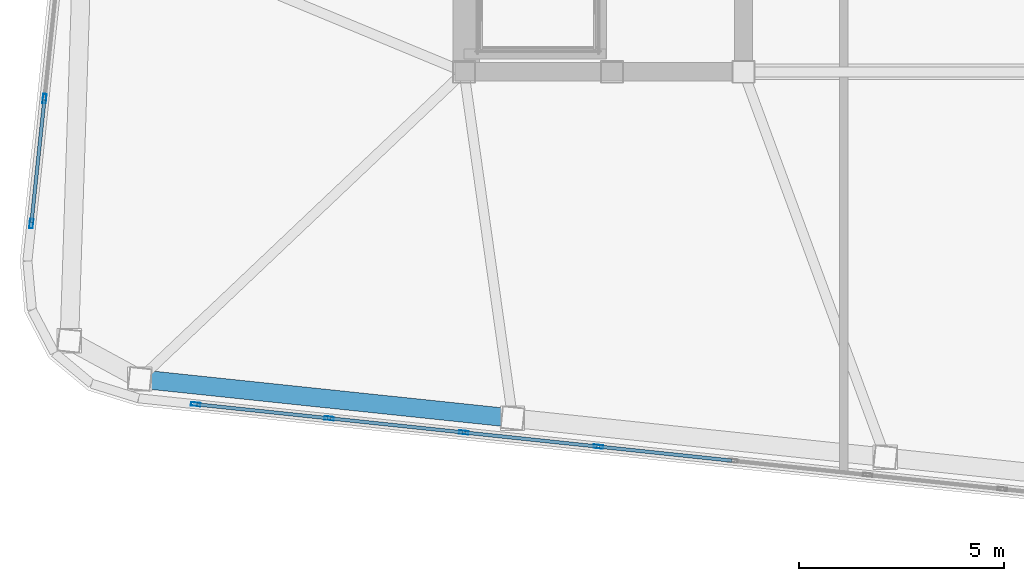
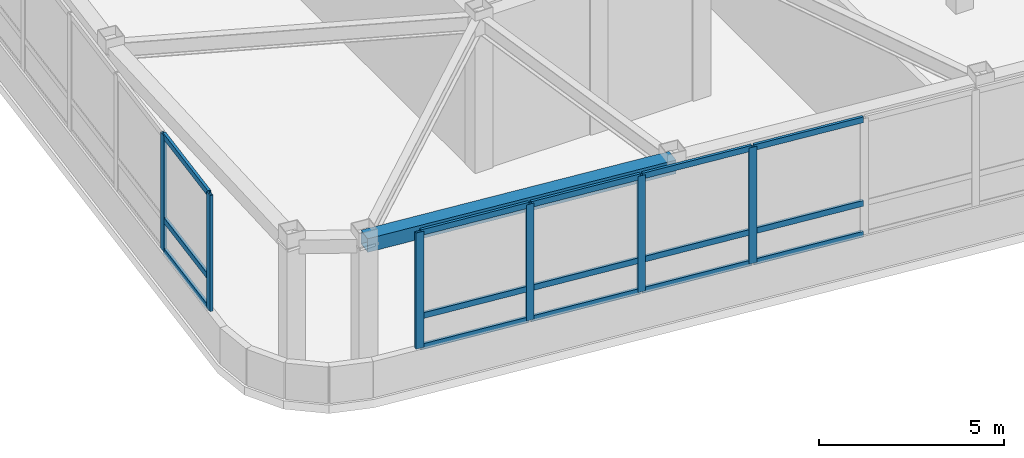
# One storey, part 2 of 23: 21 members, 1 beam, 2 elements without a shape of their own.
"""IFC4 building model written with IfcOpenShell, lengths in metres."""

from ifc_helpers import new_model, si_unit, direction, frame, origin, origin_2d, place, context, subcontext, project, spatial, hollow_rectangle, extrude, material, layer, layer_set, material_profile, profile_set, type_object, element, aggregate, save


model = new_model("IFC4")

# Units and contexts
model_context = context("Model", 3, precision=1e-05, world=origin(), true_north=direction((0.0, 1.0)))
body_context = subcontext(model_context, "Body", "Model", "MODEL_VIEW")
ifc_project = project(units=[si_unit("LENGTHUNIT", "METRE"), si_unit("AREAUNIT", "SQUARE_METRE"), si_unit("VOLUMEUNIT", "CUBIC_METRE"), si_unit("PLANEANGLEUNIT", "RADIAN"), si_unit("MASSUNIT", "GRAM", prefix="KILO")], contexts=[model_context])

# Site, building, storey
site_placement = place(None, origin())
site = spatial("IfcSite", under=ifc_project, at=site_placement, CompositionType="ELEMENT")
building_placement = place(site_placement, origin())
building = spatial("IfcBuilding", under=site, at=building_placement, Name="Voryun Gate Residences", CompositionType="ELEMENT")
storey_placement = place(building_placement, frame((0.0, 0.0, 321.300048828125)))
storey = spatial("IfcBuildingStorey", under=building, at=storey_placement, Name="L79", CompositionType="ELEMENT", Elevation=321.300048828125)

# Beam
ifc_material_1 = material(Name="Steel SM355", Category="steel")
ifc_material_profile_1 = material_profile(ifc_material_1, hollow_rectangle(XDim=0.449951171875, YDim=0.449951171875, WallThickness=0.01806640625, at=origin_2d()), Name="BOX-450x450x18")
ifc_profile_set_1 = profile_set([ifc_material_profile_1], Name="Steel SM355")
beam_type = type_object("IfcBeamType", Name="BM_CROWN_RING", PredefinedType="BEAM", material=ifc_profile_set_1)
beam_placement = place(storey_placement, frame((-27.088623046875, -14.871826171875, 4.800048828125), z_axis=(0.994523919568, -0.104509202498, 0.0), x_axis=(0.104509202498, 0.994523919568, 0.0)))
element("IfcBeam", 1, at=beam_placement, inside=storey, type_object=beam_type, Name="BM-L79-SPAND-01", PredefinedType="BEAM", context=body_context, shape_type="SweptSolid", body=[
    extrude(hollow_rectangle(XDim=0.449951171875, YDim=0.449951171875, WallThickness=0.01806640625, at=origin_2d()), origin(), (0.0, 0.0, 1.0), 9.1201171875),
])

# Curtain wall, members
ifc_material_2 = material(Name="Anodised aluminium", Category="aluminium")
ifc_layer = layer(ifc_material_2, 0.22998046875, Name="CW_SYS_LANTERN_DARK_GLASS")
ifc_layer_set = layer_set([ifc_layer], Name="Anodised aluminium")
curtain_wall_type = type_object("IfcCurtainWallType", Name="CW_SYS_LANTERN_DARK_GLASS", PredefinedType="NOTDEFINED", material=ifc_layer_set)
curtain_wall_1_placement = place(storey_placement, origin())
curtain_wall_1 = element("IfcCurtainWall", 2, at=curtain_wall_1_placement, inside=storey, type_object=curtain_wall_type, Name="Curtain wall CW6-L79-01", PredefinedType="NOTDEFINED")
ifc_material_3 = material(Name="Anodised aluminium", Category="aluminium")
ifc_material_profile_2 = material_profile(ifc_material_3, hollow_rectangle(XDim=0.0849609375, YDim=0.22998046875, WallThickness=0.006103515625, at=origin_2d()), Name="ALU-MULL-230x85x6")
ifc_profile_set_2 = profile_set([ifc_material_profile_2], Name="Anodised aluminium")
member_type_1 = type_object("IfcMemberType", Name="CW_MULL_LANT", PredefinedType="MULLION", material=ifc_profile_set_2)
member_1_placement = place(storey_placement, frame((-15.930908203125, -16.51708984375, 1.18994140625), z_axis=(0.0, 0.0, 1.0), x_axis=(-0.10452775858, -0.994521969434, 0.0)))
member_1 = element("IfcMember", 3, at=member_1_placement, type_object=member_type_1, Name="CW6 mullion 11", PredefinedType="MULLION", context=body_context, shape_type="SweptSolid", body=[
    extrude(hollow_rectangle(XDim=0.0849609375, YDim=0.22998046875, WallThickness=0.006103515625, at=origin_2d()), origin(), (0.0, 0.0, 1.0), 3.8349609375),
])
member_2_placement = place(storey_placement, frame((-19.20751953125, -16.172607421875, 1.18994140625), z_axis=(0.0, 0.0, 1.0), x_axis=(-0.10452775858, -0.994521969434, 0.0)))
member_2 = element("IfcMember", 4, at=member_2_placement, type_object=member_type_1, Name="CW6 mullion 12", PredefinedType="MULLION", context=body_context, shape_type="SweptSolid", body=[
    extrude(hollow_rectangle(XDim=0.0849609375, YDim=0.22998046875, WallThickness=0.006103515625, at=origin_2d()), origin(), (0.0, 0.0, 1.0), 3.8349609375),
])
member_3_placement = place(storey_placement, frame((-22.484130859375, -15.828369140625, 1.18994140625), z_axis=(0.0, 0.0, 1.0), x_axis=(-0.10452775858, -0.994521969434, 0.0)))
member_3 = element("IfcMember", 5, at=member_3_placement, type_object=member_type_1, Name="CW6 mullion 13", PredefinedType="MULLION", context=body_context, shape_type="SweptSolid", body=[
    extrude(hollow_rectangle(XDim=0.0849609375, YDim=0.22998046875, WallThickness=0.006103515625, at=origin_2d()), origin(), (0.0, 0.0, 1.0), 3.8349609375),
])
member_4_placement = place(storey_placement, frame((-25.73095703125, -15.487060546875, 1.18994140625), z_axis=(0.0, 0.0, 1.0), x_axis=(-0.10452775858, -0.994521969434, 0.0)))
member_4 = element("IfcMember", 6, at=member_4_placement, type_object=member_type_1, Name="CW6 mullion 14", PredefinedType="MULLION", context=body_context, shape_type="SweptSolid", body=[
    extrude(hollow_rectangle(XDim=0.0849609375, YDim=0.22998046875, WallThickness=0.006103515625, at=origin_2d()), origin(), (0.0, 0.0, 1.0), 3.8349609375),
])

curtain_wall_2_placement = place(storey_placement, origin())
curtain_wall_2 = element("IfcCurtainWall", 7, at=curtain_wall_2_placement, inside=storey, type_object=curtain_wall_type, Name="Curtain wall CW6-L79-06", PredefinedType="NOTDEFINED")
member_5_placement = place(storey_placement, frame((-29.727783203125, -11.090576171875, 1.18994140625), z_axis=(0.0, 0.0, 1.0), x_axis=(-0.994521943608, 0.104528004296, 0.0)))
member_5 = element("IfcMember", 8, at=member_5_placement, type_object=member_type_1, Name="CW6 mullion 1", PredefinedType="MULLION", context=body_context, shape_type="SweptSolid", body=[
    extrude(hollow_rectangle(XDim=0.0849609375, YDim=0.22998046875, WallThickness=0.006103515625, at=origin_2d()), origin(), (0.0, 0.0, 1.0), 3.8349609375),
])
member_6_placement = place(storey_placement, frame((-29.408203125, -8.04931640625, 1.18994140625), z_axis=(0.0, 0.0, 1.0), x_axis=(-0.994521943608, 0.104528004296, 0.0)))
member_6 = element("IfcMember", 9, at=member_6_placement, type_object=member_type_1, Name="CW6 mullion 2", PredefinedType="MULLION", context=body_context, shape_type="SweptSolid", body=[
    extrude(hollow_rectangle(XDim=0.0849609375, YDim=0.22998046875, WallThickness=0.006103515625, at=origin_2d()), origin(), (0.0, 0.0, 1.0), 3.8349609375),
])

# Member
ifc_material_4 = material(Name="Anodised aluminium", Category="aluminium")
ifc_material_profile_3 = material_profile(ifc_material_4, hollow_rectangle(XDim=0.0849609375, YDim=0.18994140625, WallThickness=0.006103515625, at=origin_2d()), Name="ALU-TRAN-190x85x6")
ifc_profile_set_3 = profile_set([ifc_material_profile_3], Name="Anodised aluminium")
member_type_2 = type_object("IfcMemberType", Name="CW_TRAN_LANT", PredefinedType="USERDEFINED", material=ifc_profile_set_3)
member_7_placement = place(storey_placement, frame((-12.68408203125, -16.8583984375, 1.219970703125), z_axis=(-0.994520745033, 0.104539407398, 0.0), x_axis=(-0.104539407398, -0.994520745033, 0.0)))
member_7 = element("IfcMember", 10, at=member_7_placement, type_object=member_type_2, Name="CW6 transom 10.1", ObjectType="TRANSOM", PredefinedType="USERDEFINED", context=body_context, shape_type="SweptSolid", body=[
    extrude(hollow_rectangle(XDim=0.0849609375, YDim=0.18994140625, WallThickness=0.006103515625, at=origin_2d()), origin(), (0.0, 0.0, 1.0), 3.234619140625),
])

member_8_placement = place(storey_placement, frame((-12.68408203125, -16.8583984375, 2.239990234375), z_axis=(-0.994520745033, 0.104539407398, 0.0), x_axis=(-0.104539407398, -0.994520745033, 0.0)))
member_8 = element("IfcMember", 11, at=member_8_placement, type_object=member_type_2, Name="CW6 transom 10.2", ObjectType="TRANSOM", PredefinedType="USERDEFINED", context=body_context, shape_type="SweptSolid", body=[
    extrude(hollow_rectangle(XDim=0.0849609375, YDim=0.18994140625, WallThickness=0.006103515625, at=origin_2d()), origin(), (0.0, 0.0, 1.0), 3.234619140625),
])

member_9_placement = place(storey_placement, frame((-12.68408203125, -16.8583984375, 4.994873046875), z_axis=(-0.994520745033, 0.104539407398, 0.0), x_axis=(-0.104539407398, -0.994520745033, 0.0)))
member_9 = element("IfcMember", 12, at=member_9_placement, type_object=member_type_2, Name="CW6 transom 10.3", ObjectType="TRANSOM", PredefinedType="USERDEFINED", context=body_context, shape_type="SweptSolid", body=[
    extrude(hollow_rectangle(XDim=0.0849609375, YDim=0.18994140625, WallThickness=0.006103515625, at=origin_2d()), origin(), (0.0, 0.0, 1.0), 3.234619140625),
])

member_10_placement = place(storey_placement, frame((-15.960693359375, -16.513916015625, 1.219970703125), z_axis=(-0.994521569819, 0.104531560613, 0.0), x_axis=(-0.104531560613, -0.994521569819, 0.0)))
member_10 = element("IfcMember", 13, at=member_10_placement, type_object=member_type_2, Name="CW6 transom 11.1", ObjectType="TRANSOM", PredefinedType="USERDEFINED", context=body_context, shape_type="SweptSolid", body=[
    extrude(hollow_rectangle(XDim=0.0849609375, YDim=0.18994140625, WallThickness=0.006103515625, at=origin_2d()), origin(), (0.0, 0.0, 1.0), 3.23486328125),
])

member_11_placement = place(storey_placement, frame((-15.960693359375, -16.513916015625, 2.239990234375), z_axis=(-0.994521569819, 0.104531560613, 0.0), x_axis=(-0.104531560613, -0.994521569819, 0.0)))
member_11 = element("IfcMember", 14, at=member_11_placement, type_object=member_type_2, Name="CW6 transom 11.2", ObjectType="TRANSOM", PredefinedType="USERDEFINED", context=body_context, shape_type="SweptSolid", body=[
    extrude(hollow_rectangle(XDim=0.0849609375, YDim=0.18994140625, WallThickness=0.006103515625, at=origin_2d()), origin(), (0.0, 0.0, 1.0), 3.23486328125),
])

member_12_placement = place(storey_placement, frame((-15.960693359375, -16.513916015625, 4.994873046875), z_axis=(-0.994521569819, 0.104531560613, 0.0), x_axis=(-0.104531560613, -0.994521569819, 0.0)))
member_12 = element("IfcMember", 15, at=member_12_placement, type_object=member_type_2, Name="CW6 transom 11.3", ObjectType="TRANSOM", PredefinedType="USERDEFINED", context=body_context, shape_type="SweptSolid", body=[
    extrude(hollow_rectangle(XDim=0.0849609375, YDim=0.18994140625, WallThickness=0.006103515625, at=origin_2d()), origin(), (0.0, 0.0, 1.0), 3.23486328125),
])

member_13_placement = place(storey_placement, frame((-19.2373046875, -16.16943359375, 1.219970703125), z_axis=(-0.994521569819, 0.104531560613, 0.0), x_axis=(-0.104531560613, -0.994521569819, 0.0)))
member_13 = element("IfcMember", 16, at=member_13_placement, type_object=member_type_2, Name="CW6 transom 12.1", ObjectType="TRANSOM", PredefinedType="USERDEFINED", context=body_context, shape_type="SweptSolid", body=[
    extrude(hollow_rectangle(XDim=0.0849609375, YDim=0.18994140625, WallThickness=0.006103515625, at=origin_2d()), origin(), (0.0, 0.0, 1.0), 3.23486328125),
])

member_14_placement = place(storey_placement, frame((-19.2373046875, -16.16943359375, 2.239990234375), z_axis=(-0.994521569819, 0.104531560613, 0.0), x_axis=(-0.104531560613, -0.994521569819, 0.0)))
member_14 = element("IfcMember", 17, at=member_14_placement, type_object=member_type_2, Name="CW6 transom 12.2", ObjectType="TRANSOM", PredefinedType="USERDEFINED", context=body_context, shape_type="SweptSolid", body=[
    extrude(hollow_rectangle(XDim=0.0849609375, YDim=0.18994140625, WallThickness=0.006103515625, at=origin_2d()), origin(), (0.0, 0.0, 1.0), 3.23486328125),
])

member_15_placement = place(storey_placement, frame((-19.2373046875, -16.16943359375, 4.994873046875), z_axis=(-0.994521569819, 0.104531560613, 0.0), x_axis=(-0.104531560613, -0.994521569819, 0.0)))
member_15 = element("IfcMember", 18, at=member_15_placement, type_object=member_type_2, Name="CW6 transom 12.3", ObjectType="TRANSOM", PredefinedType="USERDEFINED", context=body_context, shape_type="SweptSolid", body=[
    extrude(hollow_rectangle(XDim=0.0849609375, YDim=0.18994140625, WallThickness=0.006103515625, at=origin_2d()), origin(), (0.0, 0.0, 1.0), 3.23486328125),
])

member_16_placement = place(storey_placement, frame((-22.513916015625, -15.8251953125, 1.219970703125), z_axis=(-0.994522138405, 0.104526150903, 0.0), x_axis=(-0.104526150903, -0.994522138405, 0.0)))
member_16 = element("IfcMember", 19, at=member_16_placement, type_object=member_type_2, Name="CW6 transom 13.1", ObjectType="TRANSOM", PredefinedType="USERDEFINED", context=body_context, shape_type="SweptSolid", body=[
    extrude(hollow_rectangle(XDim=0.0849609375, YDim=0.18994140625, WallThickness=0.006103515625, at=origin_2d()), origin(), (0.0, 0.0, 1.0), 3.20458984375),
])

member_17_placement = place(storey_placement, frame((-22.513916015625, -15.8251953125, 2.239990234375), z_axis=(-0.994522138405, 0.104526150903, 0.0), x_axis=(-0.104526150903, -0.994522138405, 0.0)))
member_17 = element("IfcMember", 20, at=member_17_placement, type_object=member_type_2, Name="CW6 transom 13.2", ObjectType="TRANSOM", PredefinedType="USERDEFINED", context=body_context, shape_type="SweptSolid", body=[
    extrude(hollow_rectangle(XDim=0.0849609375, YDim=0.18994140625, WallThickness=0.006103515625, at=origin_2d()), origin(), (0.0, 0.0, 1.0), 3.20458984375),
])

member_18_placement = place(storey_placement, frame((-22.513916015625, -15.8251953125, 4.994873046875), z_axis=(-0.994522138405, 0.104526150903, 0.0), x_axis=(-0.104526150903, -0.994522138405, 0.0)))
member_18 = element("IfcMember", 21, at=member_18_placement, type_object=member_type_2, Name="CW6 transom 13.3", ObjectType="TRANSOM", PredefinedType="USERDEFINED", context=body_context, shape_type="SweptSolid", body=[
    extrude(hollow_rectangle(XDim=0.0849609375, YDim=0.18994140625, WallThickness=0.006103515625, at=origin_2d()), origin(), (0.0, 0.0, 1.0), 3.20458984375),
])

aggregate(curtain_wall_1, [member_1, member_2, member_3, member_4, member_7, member_8, member_9, member_10, member_11, member_12, member_13, member_14, member_15, member_16, member_17, member_18])

member_19_placement = place(storey_placement, frame((-29.724609375, -11.060546875, 1.219970703125), z_axis=(0.104485537102, 0.994526406153, 0.0), x_axis=(-0.994526406153, 0.104485537102, 0.0)))
member_19 = element("IfcMember", 22, at=member_19_placement, type_object=member_type_2, Name="CW6 transom 1.1", ObjectType="TRANSOM", PredefinedType="USERDEFINED", context=body_context, shape_type="SweptSolid", body=[
    extrude(hollow_rectangle(XDim=0.0849609375, YDim=0.18994140625, WallThickness=0.006103515625, at=origin_2d()), origin(), (0.0, 0.0, 1.0), 2.997802734375),
])

member_20_placement = place(storey_placement, frame((-29.724609375, -11.060546875, 2.239990234375), z_axis=(0.104485537102, 0.994526406153, 0.0), x_axis=(-0.994526406153, 0.104485537102, 0.0)))
member_20 = element("IfcMember", 23, at=member_20_placement, type_object=member_type_2, Name="CW6 transom 1.2", ObjectType="TRANSOM", PredefinedType="USERDEFINED", context=body_context, shape_type="SweptSolid", body=[
    extrude(hollow_rectangle(XDim=0.0849609375, YDim=0.18994140625, WallThickness=0.006103515625, at=origin_2d()), origin(), (0.0, 0.0, 1.0), 2.997802734375),
])

member_21_placement = place(storey_placement, frame((-29.724609375, -11.060546875, 4.994873046875), z_axis=(0.104485537102, 0.994526406153, 0.0), x_axis=(-0.994526406153, 0.104485537102, 0.0)))
member_21 = element("IfcMember", 24, at=member_21_placement, type_object=member_type_2, Name="CW6 transom 1.3", ObjectType="TRANSOM", PredefinedType="USERDEFINED", context=body_context, shape_type="SweptSolid", body=[
    extrude(hollow_rectangle(XDim=0.0849609375, YDim=0.18994140625, WallThickness=0.006103515625, at=origin_2d()), origin(), (0.0, 0.0, 1.0), 2.997802734375),
])

aggregate(curtain_wall_2, [member_5, member_6, member_19, member_20, member_21])

save(model, "model.ifc")
